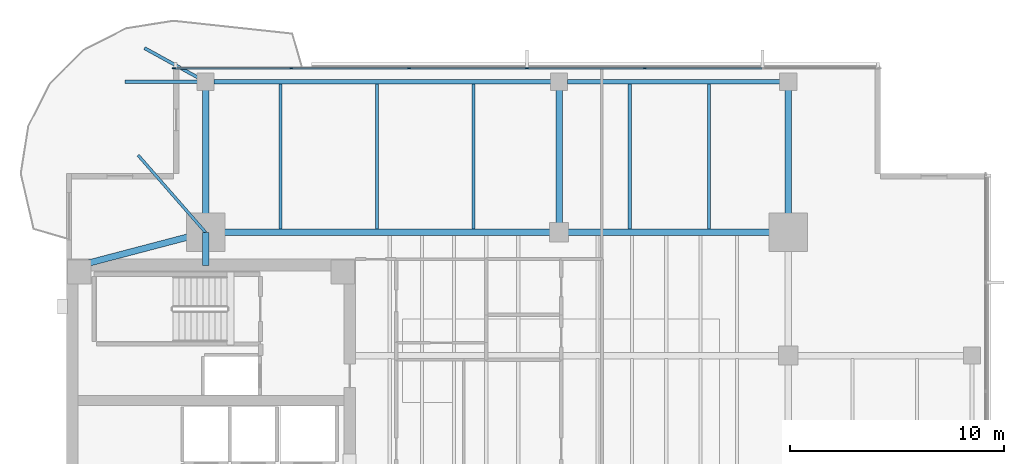
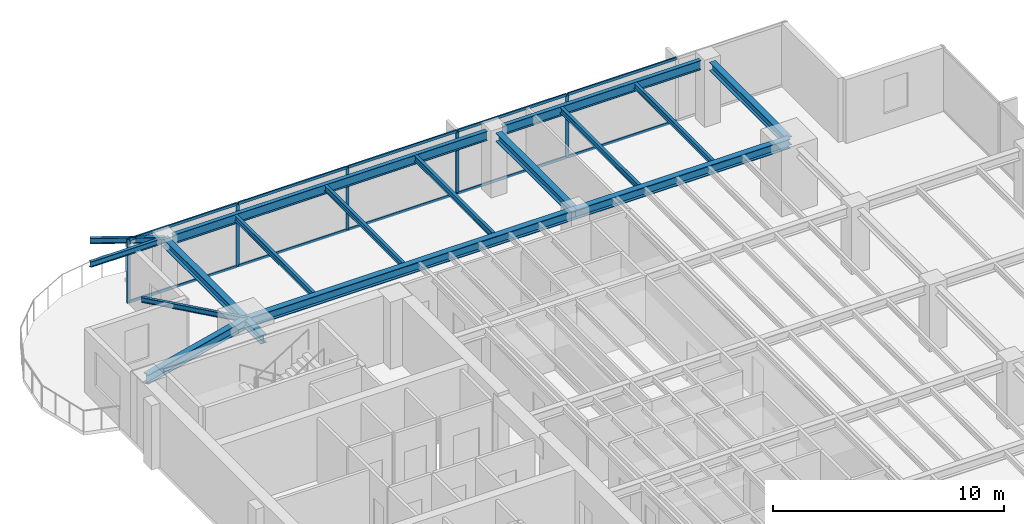
# One storey, part 5 of 14: 17 beams, 15 members, 1 element without a shape of its own.
"""IFC4 building model written with IfcOpenShell, lengths in metres."""

from ifc_helpers import new_model, si_unit, direction, frame, origin, origin_2d, place, context, subcontext, project, spatial, rectangle, i_section, extrude, material, layer, layer_set, material_profile, profile_set, type_object, element, aggregate, save


model = new_model("IFC4")

# Units and contexts
model_context = context("Model", 3, precision=1e-05, world=origin(), true_north=direction((0.0, 1.0)))
body_context = subcontext(model_context, "Body", "Model", "MODEL_VIEW")
ifc_project = project(units=[si_unit("LENGTHUNIT", "METRE"), si_unit("AREAUNIT", "SQUARE_METRE"), si_unit("VOLUMEUNIT", "CUBIC_METRE"), si_unit("PLANEANGLEUNIT", "RADIAN"), si_unit("MASSUNIT", "GRAM", prefix="KILO")], contexts=[model_context])

# Site, building, storey
site_placement = place(None, origin())
site = spatial("IfcSite", under=ifc_project, at=site_placement, CompositionType="ELEMENT")
building_placement = place(site_placement, origin())
building = spatial("IfcBuilding", under=site, at=building_placement, Name="Kinhvarn Gate Tower", CompositionType="ELEMENT")
storey_placement = place(building_placement, frame((0.0, 0.0, 195.14990234375)))
storey = spatial("IfcBuildingStorey", under=building, at=storey_placement, Name="L51", CompositionType="ELEMENT", Elevation=195.14990234375)

# Curtain wall, members
ifc_material_1 = material(Name="Anodised aluminium AW-6063", Category="aluminium")
ifc_layer = layer(ifc_material_1, 0.179931640625)
ifc_layer_set = layer_set([ifc_layer], Name="Anodised aluminium AW-6063")
curtain_wall_type = type_object("IfcCurtainWallType", Name="CW-SYS-3", PredefinedType="NOTDEFINED", material=ifc_layer_set)
curtain_wall_placement = place(storey_placement, origin())
curtain_wall = element("IfcCurtainWall", 1, at=curtain_wall_placement, inside=storey, type_object=curtain_wall_type, Name="Curtain Wall CW3 (L51)", PredefinedType="NOTDEFINED")
ifc_material_profile_1 = material_profile(ifc_material_1, rectangle(XDim=0.06494140625, YDim=0.159912109375, at=origin_2d()), Name="ALU 65x160")
ifc_profile_set_1 = profile_set([ifc_material_profile_1], Name="Anodised aluminium AW-6063")
member_type_1 = type_object("IfcMemberType", Name="CW-MUL-160", PredefinedType="MULLION", material=ifc_profile_set_1)
member_1_placement = place(storey_placement, frame((31.5, 45.409912109375, 0.0), z_axis=(0.0, 0.0, 1.0), x_axis=(0.0, -1.0, 0.0)))
member_1 = element("IfcMember", 2, at=member_1_placement, type_object=member_type_1, Name="CW3 mullion 3", PredefinedType="MULLION", context=body_context, shape_type="SweptSolid", body=[
    extrude(rectangle(XDim=0.06494140625, YDim=0.159912109375, at=origin_2d()), origin(), (0.0, 0.0, 1.0), 3.3701171875),
])
member_2_placement = place(storey_placement, frame((26.0, 45.409912109375, 0.0), z_axis=(0.0, 0.0, 1.0), x_axis=(0.0, -1.0, 0.0)))
member_2 = element("IfcMember", 3, at=member_2_placement, type_object=member_type_1, Name="CW3 mullion 4", PredefinedType="MULLION", context=body_context, shape_type="SweptSolid", body=[
    extrude(rectangle(XDim=0.06494140625, YDim=0.159912109375, at=origin_2d()), origin(), (0.0, 0.0, 1.0), 3.3701171875),
])
member_3_placement = place(storey_placement, frame((20.5, 45.409912109375, 0.0), z_axis=(0.0, 0.0, 1.0), x_axis=(0.0, -1.0, 0.0)))
member_3 = element("IfcMember", 4, at=member_3_placement, type_object=member_type_1, Name="CW3 mullion 5", PredefinedType="MULLION", context=body_context, shape_type="SweptSolid", body=[
    extrude(rectangle(XDim=0.06494140625, YDim=0.159912109375, at=origin_2d()), origin(), (0.0, 0.0, 1.0), 3.3701171875),
])
member_4_placement = place(storey_placement, frame((15.0, 45.409912109375, 0.0), z_axis=(0.0, 0.0, 1.0), x_axis=(0.0, -1.0, 0.0)))
member_4 = element("IfcMember", 5, at=member_4_placement, type_object=member_type_1, Name="CW3 mullion 6", PredefinedType="MULLION", context=body_context, shape_type="SweptSolid", body=[
    extrude(rectangle(XDim=0.06494140625, YDim=0.159912109375, at=origin_2d()), origin(), (0.0, 0.0, 1.0), 3.3701171875),
])
member_5_placement = place(storey_placement, frame((9.532470703125, 45.409912109375, 0.0), z_axis=(0.0, 0.0, 1.0), x_axis=(0.0, -1.0, 0.0)))
member_5 = element("IfcMember", 6, at=member_5_placement, type_object=member_type_1, Name="CW3 mullion 7", PredefinedType="MULLION", context=body_context, shape_type="SweptSolid", body=[
    extrude(rectangle(XDim=0.06494140625, YDim=0.159912109375, at=origin_2d()), origin(), (0.0, 0.0, 1.0), 3.3701171875),
])
ifc_material_profile_2 = material_profile(ifc_material_1, rectangle(XDim=0.070068359375, YDim=0.139892578125, at=origin_2d()), Name="ALU 70x140")
ifc_profile_set_2 = profile_set([ifc_material_profile_2], Name="Anodised aluminium AW-6063")
member_type_2 = type_object("IfcMemberType", Name="CW-TRN-140", PredefinedType="USERDEFINED", material=ifc_profile_set_2)
member_6_placement = place(storey_placement, frame((36.967529296875, 45.409912109375, 0.03515625), z_axis=(-1.0, 0.0, 0.0), x_axis=(0.0, -1.0, 0.0)))
member_6 = element("IfcMember", 7, at=member_6_placement, type_object=member_type_2, Name="CW3 transom 2.1", ObjectType="TRANSOM", PredefinedType="USERDEFINED", context=body_context, shape_type="SweptSolid", body=[
    extrude(rectangle(XDim=0.070068359375, YDim=0.139892578125, at=origin_2d()), origin(), (0.0, 0.0, 1.0), 5.43505859375),
])
member_7_placement = place(storey_placement, frame((36.967529296875, 45.409912109375, 3.335205078125), z_axis=(-1.0, 0.0, 0.0), x_axis=(0.0, -1.0, 0.0)))
member_7 = element("IfcMember", 8, at=member_7_placement, type_object=member_type_2, Name="CW3 transom 2.2", ObjectType="TRANSOM", PredefinedType="USERDEFINED", context=body_context, shape_type="SweptSolid", body=[
    extrude(rectangle(XDim=0.070068359375, YDim=0.139892578125, at=origin_2d()), origin(), (0.0, 0.0, 1.0), 5.43505859375),
])
member_8_placement = place(storey_placement, frame((31.467529296875, 45.409912109375, 0.03515625), z_axis=(-1.0, 0.0, 0.0), x_axis=(0.0, -1.0, 0.0)))
member_8 = element("IfcMember", 9, at=member_8_placement, type_object=member_type_2, Name="CW3 transom 3.1", ObjectType="TRANSOM", PredefinedType="USERDEFINED", context=body_context, shape_type="SweptSolid", body=[
    extrude(rectangle(XDim=0.070068359375, YDim=0.139892578125, at=origin_2d()), origin(), (0.0, 0.0, 1.0), 5.43505859375),
])
member_9_placement = place(storey_placement, frame((31.467529296875, 45.409912109375, 3.335205078125), z_axis=(-1.0, 0.0, 0.0), x_axis=(0.0, -1.0, 0.0)))
member_9 = element("IfcMember", 10, at=member_9_placement, type_object=member_type_2, Name="CW3 transom 3.2", ObjectType="TRANSOM", PredefinedType="USERDEFINED", context=body_context, shape_type="SweptSolid", body=[
    extrude(rectangle(XDim=0.070068359375, YDim=0.139892578125, at=origin_2d()), origin(), (0.0, 0.0, 1.0), 5.43505859375),
])
member_10_placement = place(storey_placement, frame((25.967529296875, 45.409912109375, 0.03515625), z_axis=(-1.0, 0.0, 0.0), x_axis=(0.0, -1.0, 0.0)))
member_10 = element("IfcMember", 11, at=member_10_placement, type_object=member_type_2, Name="CW3 transom 4.1", ObjectType="TRANSOM", PredefinedType="USERDEFINED", context=body_context, shape_type="SweptSolid", body=[
    extrude(rectangle(XDim=0.070068359375, YDim=0.139892578125, at=origin_2d()), origin(), (0.0, 0.0, 1.0), 5.43505859375),
])
member_11_placement = place(storey_placement, frame((25.967529296875, 45.409912109375, 3.335205078125), z_axis=(-1.0, 0.0, 0.0), x_axis=(0.0, -1.0, 0.0)))
member_11 = element("IfcMember", 12, at=member_11_placement, type_object=member_type_2, Name="CW3 transom 4.2", ObjectType="TRANSOM", PredefinedType="USERDEFINED", context=body_context, shape_type="SweptSolid", body=[
    extrude(rectangle(XDim=0.070068359375, YDim=0.139892578125, at=origin_2d()), origin(), (0.0, 0.0, 1.0), 5.43505859375),
])
member_12_placement = place(storey_placement, frame((20.467529296875, 45.409912109375, 0.03515625), z_axis=(-1.0, 0.0, 0.0), x_axis=(0.0, -1.0, 0.0)))
member_12 = element("IfcMember", 13, at=member_12_placement, type_object=member_type_2, Name="CW3 transom 5.1", ObjectType="TRANSOM", PredefinedType="USERDEFINED", context=body_context, shape_type="SweptSolid", body=[
    extrude(rectangle(XDim=0.070068359375, YDim=0.139892578125, at=origin_2d()), origin(), (0.0, 0.0, 1.0), 5.43505859375),
])
member_13_placement = place(storey_placement, frame((20.467529296875, 45.409912109375, 3.335205078125), z_axis=(-1.0, 0.0, 0.0), x_axis=(0.0, -1.0, 0.0)))
member_13 = element("IfcMember", 14, at=member_13_placement, type_object=member_type_2, Name="CW3 transom 5.2", ObjectType="TRANSOM", PredefinedType="USERDEFINED", context=body_context, shape_type="SweptSolid", body=[
    extrude(rectangle(XDim=0.070068359375, YDim=0.139892578125, at=origin_2d()), origin(), (0.0, 0.0, 1.0), 5.43505859375),
])
member_14_placement = place(storey_placement, frame((14.967529296875, 45.409912109375, 0.03515625), z_axis=(-1.0, 0.0, 0.0), x_axis=(0.0, -1.0, 0.0)))
member_14 = element("IfcMember", 15, at=member_14_placement, type_object=member_type_2, Name="CW3 transom 6.1", ObjectType="TRANSOM", PredefinedType="USERDEFINED", context=body_context, shape_type="SweptSolid", body=[
    extrude(rectangle(XDim=0.070068359375, YDim=0.139892578125, at=origin_2d()), origin(), (0.0, 0.0, 1.0), 5.402587890625),
])
member_15_placement = place(storey_placement, frame((14.967529296875, 45.409912109375, 3.335205078125), z_axis=(-1.0, 0.0, 0.0), x_axis=(0.0, -1.0, 0.0)))
member_15 = element("IfcMember", 16, at=member_15_placement, type_object=member_type_2, Name="CW3 transom 6.2", ObjectType="TRANSOM", PredefinedType="USERDEFINED", context=body_context, shape_type="SweptSolid", body=[
    extrude(rectangle(XDim=0.070068359375, YDim=0.139892578125, at=origin_2d()), origin(), (0.0, 0.0, 1.0), 5.402587890625),
])
aggregate(curtain_wall, [member_1, member_2, member_3, member_4, member_5, member_6, member_7, member_8, member_9, member_10, member_11, member_12, member_13, member_14, member_15])

# Beams
ifc_material_2 = material(Name="Steel S355", Category="steel")
ifc_material_profile_3 = material_profile(ifc_material_2, i_section(OverallWidth=0.300048828125, OverallDepth=0.449951171875, WebThickness=0.013916015625, FlangeThickness=0.02587890625, at=origin_2d()), Name="HEB 450")
ifc_profile_set_3 = profile_set([ifc_material_profile_3], Name="Steel S355")
beam_type_1 = type_object("IfcBeamType", Name="STL-HEB450", PredefinedType="BEAM", material=ifc_profile_set_3)
beam_1_placement = place(storey_placement, frame((11.0, 36.199951171875, 3.14501953125), z_axis=(0.0, 1.0, 0.0), x_axis=(-1.0, 0.0, 0.0)))
element("IfcBeam", 17, at=beam_1_placement, inside=storey, type_object=beam_type_1, Name="Floor Beam PG-13 (L51 MCW-CN)", PredefinedType="BEAM", context=body_context, shape_type="SweptSolid", body=[
    extrude(i_section(OverallWidth=0.300048828125, OverallDepth=0.449951171875, WebThickness=0.013916015625, FlangeThickness=0.02587890625, at=origin_2d()), origin(), (0.0, 0.0, 1.0), 1.550048828125),
])
beam_2_placement = place(storey_placement, frame((11.0, 37.75, 3.14501953125), z_axis=(0.0, 1.0, 0.0), x_axis=(-1.0, 0.0, 0.0)))
element("IfcBeam", 18, at=beam_2_placement, inside=storey, type_object=beam_type_1, Name="Floor Beam PG-13 (L51 MCW-N)", PredefinedType="BEAM", context=body_context, shape_type="SweptSolid", body=[
    extrude(i_section(OverallWidth=0.300048828125, OverallDepth=0.449951171875, WebThickness=0.013916015625, FlangeThickness=0.02587890625, at=origin_2d()), origin(), (0.0, 0.0, 1.0), 7.030029296875),
])
for number, where, z_axis, x_axis, name in (
    (19, (27.5, 37.75, 3.14501953125), (0.0, 1.0, 0.0), (-1.0, 0.0, 0.0), "Floor Beam PG-13 (L51 SP27-N-TIE)"),
    (20, (38.199951171875, 37.75, 3.14501953125), (0.0, 1.0, 0.0), (-1.0, 0.0, 0.0), "Floor Beam PG-13 (L51 MCE-N)"),
):
    element("IfcBeam", number, at=place(storey_placement, frame(where, z_axis=z_axis, x_axis=x_axis)), inside=storey, type_object=beam_type_1, Name=name, PredefinedType="BEAM", context=body_context, shape_type="SweptSolid", body=[
        extrude(i_section(OverallWidth=0.300048828125, OverallDepth=0.449951171875, WebThickness=0.013916015625, FlangeThickness=0.02587890625, at=origin_2d()), origin(), (0.0, 0.0, 1.0), 6.64501953125),
    ])
ifc_material_profile_4 = material_profile(ifc_material_2, i_section(OverallWidth=0.300048828125, OverallDepth=0.5, WebThickness=0.014404296875, FlangeThickness=0.028076171875, at=origin_2d()), Name="HEB 500")
ifc_profile_set_4 = profile_set([ifc_material_profile_4], Name="Steel S355")
beam_type_2 = type_object("IfcBeamType", Name="STL-HEB500", PredefinedType="BEAM", material=ifc_profile_set_4)
beam_3_placement = place(storey_placement, frame((11.0, 37.75, 3.1201171875), z_axis=(1.0, 0.0, 0.0), x_axis=(0.0, 1.0, 0.0)))
element("IfcBeam", 21, at=beam_3_placement, inside=storey, type_object=beam_type_2, Name="Floor Beam PG-14 (L51 MG-N1)", PredefinedType="BEAM", context=body_context, shape_type="SweptSolid", body=[
    extrude(i_section(OverallWidth=0.300048828125, OverallDepth=0.5, WebThickness=0.014404296875, FlangeThickness=0.028076171875, at=origin_2d()), origin(), (0.0, 0.0, 1.0), 16.5),
])
beam_4_placement = place(storey_placement, frame((27.5, 37.75, 3.1201171875), z_axis=(1.0, 0.0, 0.0), x_axis=(0.0, 1.0, 0.0)))
element("IfcBeam", 22, at=beam_4_placement, inside=storey, type_object=beam_type_2, Name="Floor Beam PG-14 (L51 MG-N2)", PredefinedType="BEAM", context=body_context, shape_type="SweptSolid", body=[
    extrude(i_section(OverallWidth=0.300048828125, OverallDepth=0.5, WebThickness=0.014404296875, FlangeThickness=0.028076171875, at=origin_2d()), origin(), (0.0, 0.0, 1.0), 10.699951171875),
])
beam_5_placement = place(storey_placement, frame((5.10009765625, 36.199951171875, 3.1201171875), z_axis=(0.967177623957, 0.254101246979, 0.0), x_axis=(-0.254101246979, 0.967177623957, 0.0)))
element("IfcBeam", 23, at=beam_5_placement, inside=storey, type_object=beam_type_2, Name="Floor Beam PG-14 (L51 MG-NW-DIAG)", PredefinedType="BEAM", context=body_context, shape_type="SweptSolid", body=[
    extrude(i_section(OverallWidth=0.300048828125, OverallDepth=0.5, WebThickness=0.014404296875, FlangeThickness=0.028076171875, at=origin_2d()), origin(), (0.0, 0.0, 1.0), 6.10009765625),
])
ifc_material_profile_5 = material_profile(ifc_material_2, i_section(OverallWidth=0.135009765625, OverallDepth=0.27001953125, WebThickness=0.006591796875, FlangeThickness=0.01025390625, at=origin_2d()), Name="IPE 270")
ifc_profile_set_5 = profile_set([ifc_material_profile_5], Name="Steel S355")
beam_type_3 = type_object("IfcBeamType", Name="STL-IPE270", PredefinedType="JOIST", material=ifc_profile_set_5)
beam_6_placement = place(storey_placement, frame((11.0, 37.75, 3.235107421875), z_axis=(-0.658482928045, 0.752595664001, 0.0), x_axis=(-0.752595664001, -0.658482928045, 0.0)))
element("IfcBeam", 24, at=beam_6_placement, inside=storey, type_object=beam_type_3, Name="Floor Joist SB-01 (L51 BAL-B3-L52)", PredefinedType="JOIST", context=body_context, shape_type="SweptSolid", body=[
    extrude(i_section(OverallWidth=0.135009765625, OverallDepth=0.27001953125, WebThickness=0.006591796875, FlangeThickness=0.01025390625, at=origin_2d()), origin(), (0.0, 0.0, 1.0), 4.78369140625),
])
ifc_material_profile_6 = material_profile(ifc_material_2, i_section(OverallWidth=0.14990234375, OverallDepth=0.300048828125, WebThickness=0.007080078125, FlangeThickness=0.0107421875, at=origin_2d()), Name="IPE 300")
ifc_profile_set_6 = profile_set([ifc_material_profile_6], Name="Steel S355")
beam_type_4 = type_object("IfcBeamType", Name="STL-IPE300", PredefinedType="JOIST", material=ifc_profile_set_6)
for number, where, z_axis, x_axis, name in (
    (25, (14.5, 37.89990234375, 3.22021484375), (0.0, 1.0, 0.0), (-1.0, 0.0, 0.0), "Floor Joist SB-02 (L51 JN-X145)"),
    (26, (19.0, 37.89990234375, 3.22021484375), (0.0, 1.0, 0.0), (-1.0, 0.0, 0.0), "Floor Joist SB-02 (L51 JN-X190)"),
    (27, (23.5, 37.89990234375, 3.22021484375), (0.0, 1.0, 0.0), (-1.0, 0.0, 0.0), "Floor Joist SB-02 (L51 JN-X235)"),
    (28, (30.800048828125, 37.89990234375, 3.22021484375), (0.0, 1.0, 0.0), (-1.0, 0.0, 0.0), "Floor Joist SB-02 (L51 JN-X308)"),
    (29, (34.5, 37.89990234375, 3.22021484375), (0.0, 1.0, 0.0), (-1.0, 0.0, 0.0), "Floor Joist SB-02 (L51 JN-X345)"),
):
    element("IfcBeam", number, at=place(storey_placement, frame(where, z_axis=z_axis, x_axis=x_axis)), inside=storey, type_object=beam_type_4, Name=name, PredefinedType="JOIST", context=body_context, shape_type="SweptSolid", body=[
        extrude(i_section(OverallWidth=0.14990234375, OverallDepth=0.300048828125, WebThickness=0.007080078125, FlangeThickness=0.0107421875, at=origin_2d()), origin(), (0.0, 0.0, 1.0), 6.780029296875),
    ])
beam_7_placement = place(storey_placement, frame((11.0, 44.780029296875, 3.22021484375), z_axis=(-1.0, 0.0, 0.0), x_axis=(0.0, -1.0, 0.0)))
element("IfcBeam", 30, at=beam_7_placement, inside=storey, type_object=beam_type_4, Name="Floor Joist SB-02 (L51 BAL-B1-L52)", PredefinedType="JOIST", context=body_context, shape_type="SweptSolid", body=[
    extrude(i_section(OverallWidth=0.14990234375, OverallDepth=0.300048828125, WebThickness=0.007080078125, FlangeThickness=0.0107421875, at=origin_2d()), origin(), (0.0, 0.0, 1.0), 3.75),
])
beam_8_placement = place(storey_placement, frame((11.0, 44.780029296875, 3.22021484375), z_axis=(-0.875889381738, 0.482511959394, 0.0), x_axis=(-0.482511959394, -0.875889381738, 0.0)))
element("IfcBeam", 31, at=beam_8_placement, inside=storey, type_object=beam_type_4, Name="Floor Joist SB-02 (L51 BAL-B2-L52)", PredefinedType="JOIST", context=body_context, shape_type="SweptSolid", body=[
    extrude(i_section(OverallWidth=0.14990234375, OverallDepth=0.300048828125, WebThickness=0.007080078125, FlangeThickness=0.0107421875, at=origin_2d()), origin(), (0.0, 0.0, 1.0), 3.25390625),
])
ifc_material_profile_7 = material_profile(ifc_material_2, i_section(OverallWidth=0.199951171875, OverallDepth=0.5, WebThickness=0.01025390625, FlangeThickness=0.01611328125, at=origin_2d()), Name="IPE 500")
ifc_profile_set_7 = profile_set([ifc_material_profile_7], Name="Steel S355")
beam_type_5 = type_object("IfcBeamType", Name="STL-IPE500", PredefinedType="SPANDREL", material=ifc_profile_set_7)
beam_9_placement = place(storey_placement, frame((11.385009765625, 44.780029296875, 3.1201171875), z_axis=(1.0, 0.0, 0.0), x_axis=(0.0, 1.0, 0.0)))
element("IfcBeam", 32, at=beam_9_placement, inside=storey, type_object=beam_type_5, Name="Floor Spandrel SB-07 (L51 SP-N1)", PredefinedType="SPANDREL", context=body_context, shape_type="SweptSolid", body=[
    extrude(i_section(OverallWidth=0.199951171875, OverallDepth=0.5, WebThickness=0.01025390625, FlangeThickness=0.01611328125, at=origin_2d()), origin(), (0.0, 0.0, 1.0), 15.72998046875),
])
beam_10_placement = place(storey_placement, frame((27.885009765625, 44.780029296875, 3.1201171875), z_axis=(1.0, 0.0, 0.0), x_axis=(0.0, 1.0, 0.0)))
element("IfcBeam", 33, at=beam_10_placement, inside=storey, type_object=beam_type_5, Name="Floor Spandrel SB-07 (L51 SP-N2)", PredefinedType="SPANDREL", context=body_context, shape_type="SweptSolid", body=[
    extrude(i_section(OverallWidth=0.199951171875, OverallDepth=0.5, WebThickness=0.01025390625, FlangeThickness=0.01611328125, at=origin_2d()), origin(), (0.0, 0.0, 1.0), 9.929931640625),
])

save(model, "model.ifc")
